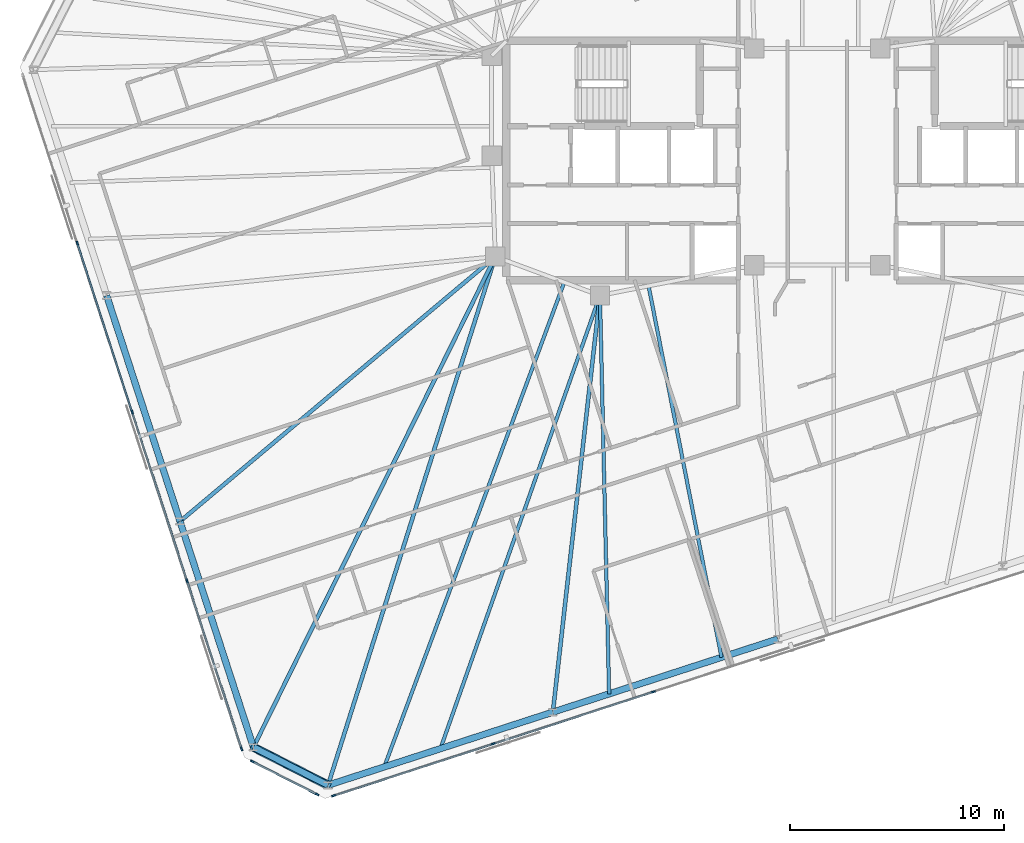
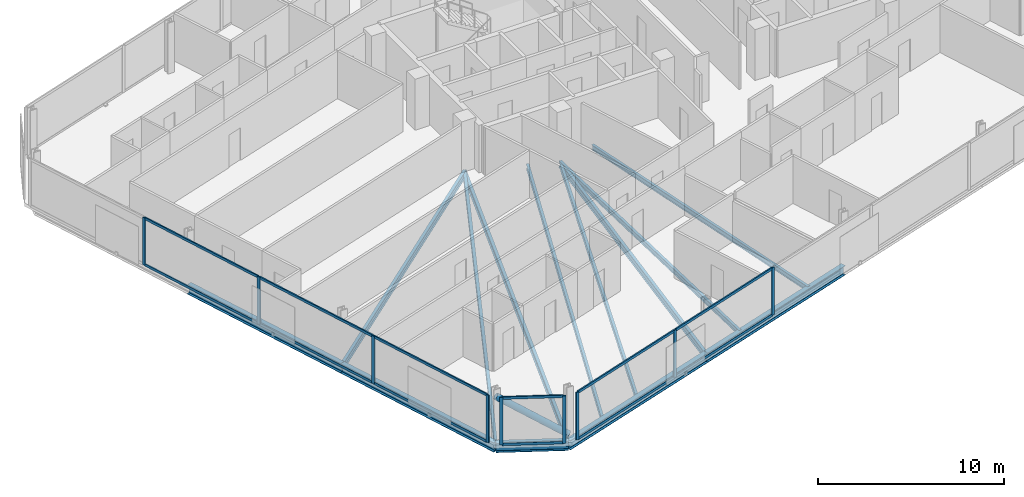
# One storey, part 5 of 20: 22 members, 13 beams, 3 elements without a shape of their own.
"""IFC4 building model written with IfcOpenShell, lengths in metres."""

from ifc_helpers import new_model, si_unit, direction, frame, origin, origin_2d, place, context, subcontext, project, spatial, rectangle, hollow_circle, i_section, extrude, material, material_profile, profile_set, type_object, element, aggregate, save


model = new_model("IFC4")

# Units and contexts
model_context = context("Model", 3, precision=1e-05, world=origin(), true_north=direction((0.0, 1.0)))
body_context = subcontext(model_context, "Body", "Model", "MODEL_VIEW")
ifc_project = project(units=[si_unit("LENGTHUNIT", "METRE"), si_unit("AREAUNIT", "SQUARE_METRE"), si_unit("VOLUMEUNIT", "CUBIC_METRE"), si_unit("PLANEANGLEUNIT", "RADIAN"), si_unit("MASSUNIT", "GRAM", prefix="KILO")], contexts=[model_context])

# Site, building, storey
site_placement = place(None, origin())
site = spatial("IfcSite", under=ifc_project, at=site_placement, CompositionType="ELEMENT")
building_placement = place(site_placement, origin())
building = spatial("IfcBuilding", under=site, at=building_placement, Name="Menara Jurai Vektor", CompositionType="ELEMENT")
storey_placement = place(building_placement, frame((0.0, 0.0, 217.60009765625)))
storey = spatial("IfcBuildingStorey", under=building, at=storey_placement, Name="L57", CompositionType="ELEMENT", Elevation=217.60009765625)

# Curtain wall, members
ifc_material_1 = material(Name="Anodised Pale Aluminium & Low-E Double Glazing", Category="aluminium")
curtain_wall_type = type_object("IfcCurtainWallType", Name="CW-BLK4", PredefinedType="NOTDEFINED", material=ifc_material_1)
curtain_wall_1_placement = place(storey_placement, origin())
curtain_wall_1 = element("IfcCurtainWall", 1, at=curtain_wall_1_placement, inside=storey, type_object=curtain_wall_type, Name="Unitised Curtain Wall L57 F01", PredefinedType="NOTDEFINED")
ifc_material_2 = material(Name="Anodised Pale Aluminium Mullion", Category="aluminium")
ifc_material_profile_1 = material_profile(ifc_material_2, rectangle(XDim=0.080078125, YDim=0.18994140625, at=origin_2d()), Name="ALU MUL 80x190")
ifc_profile_set_1 = profile_set([ifc_material_profile_1], Name="Anodised Pale Aluminium Mullion")
member_type_1 = type_object("IfcMemberType", Name="CW-BLK4-MUL", PredefinedType="MULLION", material=ifc_profile_set_1)
member_1_placement = place(storey_placement, frame((-22.649658203125, -29.743896484375, 0.0), z_axis=(0.0, 0.0, 1.0), x_axis=(-0.309017344167, 0.951056402641, 0.0)))
member_1 = element("IfcMember", 2, at=member_1_placement, type_object=member_type_1, Name="CW-04 mullion 1", PredefinedType="MULLION", context=body_context, shape_type="SweptSolid", body=[
    extrude(rectangle(XDim=0.080078125, YDim=0.18994140625, at=origin_2d()), origin(), (0.0, 0.0, 1.0), 3.125),
])
member_2_placement = place(storey_placement, frame((-15.1826171875, -27.317626953125, 0.0), z_axis=(0.0, 0.0, 1.0), x_axis=(-0.309017344167, 0.951056402641, 0.0)))
member_2 = element("IfcMember", 3, at=member_2_placement, type_object=member_type_1, Name="CW-04 mullion 2", PredefinedType="MULLION", context=body_context, shape_type="SweptSolid", body=[
    extrude(rectangle(XDim=0.080078125, YDim=0.18994140625, at=origin_2d()), origin(), (0.0, 0.0, 1.0), 3.125),
])
member_3_placement = place(storey_placement, frame((-7.677490234375, -24.879150390625, 0.0), z_axis=(0.0, 0.0, 1.0), x_axis=(-0.309017344167, 0.951056402641, 0.0)))
member_3 = element("IfcMember", 4, at=member_3_placement, type_object=member_type_1, Name="CW-04 mullion 3", PredefinedType="MULLION", context=body_context, shape_type="SweptSolid", body=[
    extrude(rectangle(XDim=0.080078125, YDim=0.18994140625, at=origin_2d()), origin(), (0.0, 0.0, 1.0), 3.125),
])

curtain_wall_2_placement = place(storey_placement, origin())
curtain_wall_2 = element("IfcCurtainWall", 5, at=curtain_wall_2_placement, inside=storey, type_object=curtain_wall_type, Name="Unitised Curtain Wall L57 F07", PredefinedType="NOTDEFINED")
member_4_placement = place(storey_placement, frame((-34.650634765625, -3.876220703125, 0.0), z_axis=(0.0, 0.0, 1.0), x_axis=(0.95105668295, 0.309016481464, 0.0)))
member_4 = element("IfcMember", 6, at=member_4_placement, type_object=member_type_1, Name="CW-04 mullion 2", PredefinedType="MULLION", context=body_context, shape_type="SweptSolid", body=[
    extrude(rectangle(XDim=0.080078125, YDim=0.18994140625, at=origin_2d()), origin(), (0.0, 0.0, 1.0), 3.125),
])
member_5_placement = place(storey_placement, frame((-32.082763671875, -11.779541015625, 0.0), z_axis=(0.0, 0.0, 1.0), x_axis=(0.95105668295, 0.309016481464, 0.0)))
member_5 = element("IfcMember", 7, at=member_5_placement, type_object=member_type_1, Name="CW-04 mullion 3", PredefinedType="MULLION", context=body_context, shape_type="SweptSolid", body=[
    extrude(rectangle(XDim=0.080078125, YDim=0.18994140625, at=origin_2d()), origin(), (0.0, 0.0, 1.0), 3.125),
])
member_6_placement = place(storey_placement, frame((-29.514892578125, -19.682861328125, 0.0), z_axis=(0.0, 0.0, 1.0), x_axis=(0.95105668295, 0.309016481464, 0.0)))
member_6 = element("IfcMember", 8, at=member_6_placement, type_object=member_type_1, Name="CW-04 mullion 4", PredefinedType="MULLION", context=body_context, shape_type="SweptSolid", body=[
    extrude(rectangle(XDim=0.080078125, YDim=0.18994140625, at=origin_2d()), origin(), (0.0, 0.0, 1.0), 3.125),
])
member_7_placement = place(storey_placement, frame((-26.959228515625, -27.548095703125, 0.0), z_axis=(0.0, 0.0, 1.0), x_axis=(0.95105668295, 0.309016481464, 0.0)))
member_7 = element("IfcMember", 9, at=member_7_placement, type_object=member_type_1, Name="CW-04 mullion 5", PredefinedType="MULLION", context=body_context, shape_type="SweptSolid", body=[
    extrude(rectangle(XDim=0.080078125, YDim=0.18994140625, at=origin_2d()), origin(), (0.0, 0.0, 1.0), 3.125),
])

curtain_wall_3_placement = place(storey_placement, origin())
curtain_wall_3 = element("IfcCurtainWall", 10, at=curtain_wall_3_placement, inside=storey, type_object=curtain_wall_type, Name="Unitised Curtain Wall L57 F08", PredefinedType="NOTDEFINED")
member_8_placement = place(storey_placement, frame((-26.455322265625, -28.13818359375, 0.0), z_axis=(0.0, 0.0, 1.0), x_axis=(0.453988579828, 0.89100750243, 0.0)))
member_8 = element("IfcMember", 11, at=member_8_placement, type_object=member_type_1, Name="CW-04 mullion 1", PredefinedType="MULLION", context=body_context, shape_type="SweptSolid", body=[
    extrude(rectangle(XDim=0.080078125, YDim=0.18994140625, at=origin_2d()), origin(), (0.0, 0.0, 1.0), 3.125),
])
member_9_placement = place(storey_placement, frame((-23.42333984375, -29.682861328125, 0.0), z_axis=(0.0, 0.0, 1.0), x_axis=(0.453988579828, 0.89100750243, 0.0)))
member_9 = element("IfcMember", 12, at=member_9_placement, type_object=member_type_1, Name="CW-04 mullion 2", PredefinedType="MULLION", context=body_context, shape_type="SweptSolid", body=[
    extrude(rectangle(XDim=0.080078125, YDim=0.18994140625, at=origin_2d()), origin(), (0.0, 0.0, 1.0), 3.125),
])

# Member
ifc_material_3 = material(Name="Anodised Pale Aluminium Transom", Category="aluminium")
ifc_material_profile_2 = material_profile(ifc_material_3, rectangle(XDim=0.080078125, YDim=0.1650390625, at=origin_2d()), Name="ALU TRN 80x165")
ifc_profile_set_2 = profile_set([ifc_material_profile_2], Name="Anodised Pale Aluminium Transom")
member_type_2 = type_object("IfcMemberType", Name="CW-BLK4-TRN", PredefinedType="USERDEFINED", material=ifc_profile_set_2)
member_10_placement = place(storey_placement, frame((-22.61181640625, -29.7314453125, 0.039794921875), z_axis=(0.951062230089, 0.308999408573, 0.0), x_axis=(-0.308999408573, 0.951062230089, 0.0)))
member_10 = element("IfcMember", 13, at=member_10_placement, type_object=member_type_2, Name="CW-04 transom 1.1", ObjectType="TRANSOM", PredefinedType="USERDEFINED", context=body_context, shape_type="SweptSolid", body=[
    extrude(rectangle(XDim=0.080078125, YDim=0.1650390625, at=origin_2d()), origin(), (0.0, 0.0, 1.0), 7.771484375),
])

member_11_placement = place(storey_placement, frame((-22.61181640625, -29.7314453125, 3.0849609375), z_axis=(0.951062230089, 0.308999408573, 0.0), x_axis=(-0.308999408573, 0.951062230089, 0.0)))
member_11 = element("IfcMember", 14, at=member_11_placement, type_object=member_type_2, Name="CW-04 transom 1.2", ObjectType="TRANSOM", PredefinedType="USERDEFINED", context=body_context, shape_type="SweptSolid", body=[
    extrude(rectangle(XDim=0.080078125, YDim=0.1650390625, at=origin_2d()), origin(), (0.0, 0.0, 1.0), 7.771484375),
])

member_12_placement = place(storey_placement, frame((-15.14453125, -27.30517578125, 0.039794921875), z_axis=(0.95105634578, 0.309017519167, 0.0), x_axis=(-0.309017519167, 0.95105634578, 0.0)))
member_12 = element("IfcMember", 15, at=member_12_placement, type_object=member_type_2, Name="CW-04 transom 2.1", ObjectType="TRANSOM", PredefinedType="USERDEFINED", context=body_context, shape_type="SweptSolid", body=[
    extrude(rectangle(XDim=0.080078125, YDim=0.1650390625, at=origin_2d()), origin(), (0.0, 0.0, 1.0), 7.811279296875),
])

member_13_placement = place(storey_placement, frame((-15.14453125, -27.30517578125, 3.0849609375), z_axis=(0.95105634578, 0.309017519167, 0.0), x_axis=(-0.309017519167, 0.95105634578, 0.0)))
member_13 = element("IfcMember", 16, at=member_13_placement, type_object=member_type_2, Name="CW-04 transom 2.2", ObjectType="TRANSOM", PredefinedType="USERDEFINED", context=body_context, shape_type="SweptSolid", body=[
    extrude(rectangle(XDim=0.080078125, YDim=0.1650390625, at=origin_2d()), origin(), (0.0, 0.0, 1.0), 7.811279296875),
])

aggregate(curtain_wall_1, [member_1, member_2, member_3, member_10, member_11, member_12, member_13])

member_14_placement = place(storey_placement, frame((-34.638427734375, -3.914306640625, 0.039794921875), z_axis=(0.309018994408, -0.951055866443, 0.0), x_axis=(0.951055866443, 0.309018994408, 0.0)))
member_14 = element("IfcMember", 17, at=member_14_placement, type_object=member_type_2, Name="CW-04 transom 2.1", ObjectType="TRANSOM", PredefinedType="USERDEFINED", context=body_context, shape_type="SweptSolid", body=[
    extrude(rectangle(XDim=0.080078125, YDim=0.1650390625, at=origin_2d()), origin(), (0.0, 0.0, 1.0), 8.22998046875),
])

member_15_placement = place(storey_placement, frame((-34.638427734375, -3.914306640625, 3.0849609375), z_axis=(0.309018994408, -0.951055866443, 0.0), x_axis=(0.951055866443, 0.309018994408, 0.0)))
member_15 = element("IfcMember", 18, at=member_15_placement, type_object=member_type_2, Name="CW-04 transom 2.2", ObjectType="TRANSOM", PredefinedType="USERDEFINED", context=body_context, shape_type="SweptSolid", body=[
    extrude(rectangle(XDim=0.080078125, YDim=0.1650390625, at=origin_2d()), origin(), (0.0, 0.0, 1.0), 8.22998046875),
])

member_16_placement = place(storey_placement, frame((-32.0703125, -11.817626953125, 0.039794921875), z_axis=(0.309018994408, -0.951055866443, 0.0), x_axis=(0.951055866443, 0.309018994408, 0.0)))
member_16 = element("IfcMember", 19, at=member_16_placement, type_object=member_type_2, Name="CW-04 transom 3.1", ObjectType="TRANSOM", PredefinedType="USERDEFINED", context=body_context, shape_type="SweptSolid", body=[
    extrude(rectangle(XDim=0.080078125, YDim=0.1650390625, at=origin_2d()), origin(), (0.0, 0.0, 1.0), 8.22998046875),
])

member_17_placement = place(storey_placement, frame((-32.0703125, -11.817626953125, 3.0849609375), z_axis=(0.309018994408, -0.951055866443, 0.0), x_axis=(0.951055866443, 0.309018994408, 0.0)))
member_17 = element("IfcMember", 20, at=member_17_placement, type_object=member_type_2, Name="CW-04 transom 3.2", ObjectType="TRANSOM", PredefinedType="USERDEFINED", context=body_context, shape_type="SweptSolid", body=[
    extrude(rectangle(XDim=0.080078125, YDim=0.1650390625, at=origin_2d()), origin(), (0.0, 0.0, 1.0), 8.22998046875),
])

member_18_placement = place(storey_placement, frame((-29.50244140625, -19.720947265625, 0.039794921875), z_axis=(0.309010577384, -0.951058601278, 0.0), x_axis=(0.951058601278, 0.309010577384, 0.0)))
member_18 = element("IfcMember", 21, at=member_18_placement, type_object=member_type_2, Name="CW-04 transom 4.1", ObjectType="TRANSOM", PredefinedType="USERDEFINED", context=body_context, shape_type="SweptSolid", body=[
    extrude(rectangle(XDim=0.080078125, YDim=0.1650390625, at=origin_2d()), origin(), (0.0, 0.0, 1.0), 8.18994140625),
])

member_19_placement = place(storey_placement, frame((-29.50244140625, -19.720947265625, 3.0849609375), z_axis=(0.309010577384, -0.951058601278, 0.0), x_axis=(0.951058601278, 0.309010577384, 0.0)))
member_19 = element("IfcMember", 22, at=member_19_placement, type_object=member_type_2, Name="CW-04 transom 4.2", ObjectType="TRANSOM", PredefinedType="USERDEFINED", context=body_context, shape_type="SweptSolid", body=[
    extrude(rectangle(XDim=0.080078125, YDim=0.1650390625, at=origin_2d()), origin(), (0.0, 0.0, 1.0), 8.18994140625),
])

aggregate(curtain_wall_2, [member_4, member_5, member_6, member_7, member_14, member_15, member_16, member_17, member_18, member_19])

member_20_placement = place(storey_placement, frame((-26.419677734375, -28.15625, 0.039794921875), z_axis=(0.89100697374, -0.453989617444, 0.0), x_axis=(0.453989617444, 0.89100697374, 0.0)))
member_20 = element("IfcMember", 23, at=member_20_placement, type_object=member_type_2, Name="CW-04 transom 1.1", ObjectType="TRANSOM", PredefinedType="USERDEFINED", context=body_context, shape_type="SweptSolid", body=[
    extrude(rectangle(XDim=0.080078125, YDim=0.1650390625, at=origin_2d()), origin(), (0.0, 0.0, 1.0), 3.32275390625),
])

member_21_placement = place(storey_placement, frame((-26.419677734375, -28.15625, 3.0849609375), z_axis=(0.89100697374, -0.453989617444, 0.0), x_axis=(0.453989617444, 0.89100697374, 0.0)))
member_21 = element("IfcMember", 24, at=member_21_placement, type_object=member_type_2, Name="CW-04 transom 1.2", ObjectType="TRANSOM", PredefinedType="USERDEFINED", context=body_context, shape_type="SweptSolid", body=[
    extrude(rectangle(XDim=0.080078125, YDim=0.1650390625, at=origin_2d()), origin(), (0.0, 0.0, 1.0), 3.32275390625),
])

aggregate(curtain_wall_3, [member_8, member_9, member_20, member_21])

# Beams
ifc_material_4 = material(Name="Steel S355", Category="steel")
ifc_material_profile_3 = material_profile(ifc_material_4, i_section(OverallWidth=0.18505859375, OverallDepth=0.429931640625, WebThickness=0.010986328125, FlangeThickness=0.01806640625, at=origin_2d()), Name="PG 430x185x76")
ifc_profile_set_3 = profile_set([ifc_material_profile_3], Name="Steel S355")
beam_type_1 = type_object("IfcBeamType", Name="STR-BM-430", PredefinedType="BEAM", material=ifc_profile_set_3)
beam_1_placement = place(storey_placement, frame((-22.912841796875, -29.2509765625, -0.440185546875), z_axis=(0.301715059084, 0.953398145122, 0.0), x_axis=(-0.953398145122, 0.301715059084, 0.0)))
element("IfcBeam", 25, at=beam_1_placement, inside=storey, type_object=beam_type_1, Name="Radial Floor Girder L57-S1", PredefinedType="BEAM", context=body_context, shape_type="SweptSolid", body=[
    extrude(i_section(OverallWidth=0.18505859375, OverallDepth=0.429931640625, WebThickness=0.010986328125, FlangeThickness=0.01806640625, at=origin_2d()), origin(), (0.0, 0.0, 1.0), 25.960693359375),
])
beam_2_placement = place(storey_placement, frame((-12.383544921875, -25.829833984375, -0.440185546875), z_axis=(0.112235588534, 0.993681625404, 0.0), x_axis=(-0.993681625404, 0.112235588534, 0.0)))
element("IfcBeam", 26, at=beam_2_placement, inside=storey, type_object=beam_type_1, Name="Radial Floor Girder L57-S2", PredefinedType="BEAM", context=body_context, shape_type="SweptSolid", body=[
    extrude(i_section(OverallWidth=0.18505859375, OverallDepth=0.429931640625, WebThickness=0.010986328125, FlangeThickness=0.01806640625, at=origin_2d()), origin(), (0.0, 0.0, 1.0), 19.6337890625),
])
beam_3_placement = place(storey_placement, frame((-29.841796875, -16.896728515625, -0.440185546875), z_axis=(0.765784449649, 0.64309733064, 0.0), x_axis=(-0.64309733064, 0.765784449649, 0.0)))
element("IfcBeam", 27, at=beam_3_placement, inside=storey, type_object=beam_type_1, Name="Radial Floor Girder L57-W3", PredefinedType="BEAM", context=body_context, shape_type="SweptSolid", body=[
    extrude(i_section(OverallWidth=0.18505859375, OverallDepth=0.429931640625, WebThickness=0.010986328125, FlangeThickness=0.01806640625, at=origin_2d()), origin(), (0.0, 0.0, 1.0), 19.276611328125),
])
beam_4_placement = place(storey_placement, frame((-26.406005859375, -27.47119140625, -0.440185546875), z_axis=(0.442219272094, 0.896906971424, 0.0), x_axis=(-0.896906971424, 0.442219272094, 0.0)))
element("IfcBeam", 28, at=beam_4_placement, inside=storey, type_object=beam_type_1, Name="Radial Floor Girder L57-W4", PredefinedType="BEAM", context=body_context, shape_type="SweptSolid", body=[
    extrude(i_section(OverallWidth=0.18505859375, OverallDepth=0.429931640625, WebThickness=0.010986328125, FlangeThickness=0.01806640625, at=origin_2d()), origin(), (0.0, 0.0, 1.0), 25.611572265625),
])

# Member
ifc_material_5 = material(Name="Steel S460", Category="steel")
ifc_material_profile_4 = material_profile(ifc_material_5, hollow_circle(Radius=0.203125, WallThickness=0.01611328125, at=origin_2d()), Name="CHS 406.4x16")
ifc_profile_set_4 = profile_set([ifc_material_profile_4], Name="Steel S460")
member_type_3 = type_object("IfcMemberType", Name="STR-BR-406", PredefinedType="BRACE", material=ifc_profile_set_4)
member_22_placement = place(storey_placement, frame((-22.912841796875, -29.2509765625, 0.14990234375), z_axis=(-0.740375367811, 0.377225079071, 0.556368182465), x_axis=(-0.453976155955, -0.891013832566, 0.0)))
element("IfcMember", 29, at=member_22_placement, inside=storey, type_object=member_type_3, Name="Exoskeleton Corner Brace L57-4", PredefinedType="BRACE", context=body_context, shape_type="SweptSolid", body=[
    extrude(hollow_circle(Radius=0.203125, WallThickness=0.01611328125, at=origin_2d()), origin(), (0.0, 0.0, 1.0), 4.718017578125),
])

# Beams
ifc_material_profile_5 = material_profile(ifc_material_4, i_section(OverallWidth=0.1650390625, OverallDepth=0.330078125, WebThickness=0.009033203125, FlangeThickness=0.013916015625, at=origin_2d()), Name="PG 330x165x46")
ifc_profile_set_5 = profile_set([ifc_material_profile_5], Name="Steel S355")
beam_type_2 = type_object("IfcBeamType", Name="STR-JS-330", PredefinedType="JOIST", material=ifc_profile_set_5)
beam_5_placement = place(storey_placement, frame((-20.280517578125, -28.395751953125, -0.39013671875), z_axis=(0.348182225555, 0.937426870645, 0.0), x_axis=(-0.937426870645, 0.348182225555, 0.0)))
element("IfcBeam", 30, at=beam_5_placement, inside=storey, type_object=beam_type_2, Name="Radial Secondary Floor Joist L57-JS01", PredefinedType="JOIST", context=body_context, shape_type="SweptSolid", body=[
    extrude(i_section(OverallWidth=0.1650390625, OverallDepth=0.330078125, WebThickness=0.009033203125, FlangeThickness=0.013916015625, at=origin_2d()), origin(), (0.0, 0.0, 1.0), 24.211181640625),
])
beam_6_placement = place(storey_placement, frame((-17.648193359375, -27.540283203125, -0.39013671875), z_axis=(0.331980963321, 0.943286085974, 0.0), x_axis=(-0.943286085974, 0.331980963321, 0.0)))
element("IfcBeam", 31, at=beam_6_placement, inside=storey, type_object=beam_type_2, Name="Radial Secondary Floor Joist L57-JS02", PredefinedType="JOIST", context=body_context, shape_type="SweptSolid", body=[
    extrude(i_section(OverallWidth=0.1650390625, OverallDepth=0.330078125, WebThickness=0.009033203125, FlangeThickness=0.013916015625, at=origin_2d()), origin(), (0.0, 0.0, 1.0), 22.49609375),
])
beam_7_placement = place(storey_placement, frame((-9.751220703125, -24.974609375, -0.39013671875), z_axis=(-0.022975519442, 0.999736027913, 0.0), x_axis=(-0.999736027913, -0.022975519442, 0.0)))
element("IfcBeam", 32, at=beam_7_placement, inside=storey, type_object=beam_type_2, Name="Radial Secondary Floor Joist L57-JS03", PredefinedType="JOIST", context=body_context, shape_type="SweptSolid", body=[
    extrude(i_section(OverallWidth=0.1650390625, OverallDepth=0.330078125, WebThickness=0.009033203125, FlangeThickness=0.013916015625, at=origin_2d()), origin(), (0.0, 0.0, 1.0), 18.659423828125),
])
beam_8_placement = place(storey_placement, frame((-4.486572265625, -23.263916015625, -0.39013671875), z_axis=(-0.192724225092, 0.981252960792, 0.0), x_axis=(-0.981252960792, -0.192724225092, 0.0)))
element("IfcBeam", 33, at=beam_8_placement, inside=storey, type_object=beam_type_2, Name="Radial Secondary Floor Joist L57-JS04", PredefinedType="JOIST", context=body_context, shape_type="SweptSolid", body=[
    extrude(i_section(OverallWidth=0.1650390625, OverallDepth=0.330078125, WebThickness=0.009033203125, FlangeThickness=0.013916015625, at=origin_2d()), origin(), (0.0, 0.0, 1.0), 17.7236328125),
])
ifc_material_profile_6 = material_profile(ifc_material_4, i_section(OverallWidth=0.306884765625, OverallDepth=0.6201171875, WebThickness=0.013916015625, FlangeThickness=0.02392578125, FilletRadius=0.01708984375, at=origin_2d()), Name="UKB 610x305x179")
ifc_profile_set_6 = profile_set([ifc_material_profile_6], Name="Steel S355")
beam_type_3 = type_object("IfcBeamType", Name="STR-SP-610", PredefinedType="SPANDREL", material=ifc_profile_set_6)
for number, where, z_axis, x_axis, name in (
    (34, (-22.912841796875, -29.2509765625, -0.53515625), (0.951057401967, 0.309014268544, 0.0), (-0.309014268544, 0.951057401967, 0.0), "Exoskeleton Spandrel Beam L57-01"),
    (35, (-12.383544921875, -25.829833984375, -0.53515625), (0.951057401967, 0.309014268544, 0.0), (-0.309014268544, 0.951057401967, 0.0), "Exoskeleton Spandrel Beam L57-02"),
):
    element("IfcBeam", number, at=place(storey_placement, frame(where, z_axis=z_axis, x_axis=x_axis)), inside=storey, type_object=beam_type_3, Name=name, PredefinedType="SPANDREL", context=body_context, shape_type="SweptSolid", body=[
        extrude(i_section(OverallWidth=0.306884765625, OverallDepth=0.6201171875, WebThickness=0.013916015625, FlangeThickness=0.02392578125, FilletRadius=0.01708984375, at=origin_2d()), origin(), (0.0, 0.0, 1.0), 11.071044921875),
    ])
beam_9_placement = place(storey_placement, frame((-33.277587890625, -6.322509765625, -0.53515625), z_axis=(0.309018545885, -0.951056012178, 0.0), x_axis=(0.951056012178, 0.309018545885, 0.0)))
element("IfcBeam", 36, at=beam_9_placement, inside=storey, type_object=beam_type_3, Name="Exoskeleton Spandrel Beam L57-18", PredefinedType="SPANDREL", context=body_context, shape_type="SweptSolid", body=[
    extrude(i_section(OverallWidth=0.306884765625, OverallDepth=0.6201171875, WebThickness=0.013916015625, FlangeThickness=0.02392578125, FilletRadius=0.01708984375, at=origin_2d()), origin(), (0.0, 0.0, 1.0), 11.118408203125),
])
beam_10_placement = place(storey_placement, frame((-29.841796875, -16.896728515625, -0.53515625), z_axis=(0.309012092614, -0.95105810896, 0.0), x_axis=(0.95105810896, 0.309012092614, 0.0)))
element("IfcBeam", 37, at=beam_10_placement, inside=storey, type_object=beam_type_3, Name="Exoskeleton Spandrel Beam L57-19", PredefinedType="SPANDREL", context=body_context, shape_type="SweptSolid", body=[
    extrude(i_section(OverallWidth=0.306884765625, OverallDepth=0.6201171875, WebThickness=0.013916015625, FlangeThickness=0.02392578125, FilletRadius=0.01708984375, at=origin_2d()), origin(), (0.0, 0.0, 1.0), 11.11865234375),
])
beam_11_placement = place(storey_placement, frame((-26.406005859375, -27.47119140625, -0.53515625), z_axis=(0.891013832566, -0.453976155955, 0.0), x_axis=(0.453976155955, 0.891013832566, 0.0)))
element("IfcBeam", 38, at=beam_11_placement, inside=storey, type_object=beam_type_3, Name="Exoskeleton Spandrel Beam L57-20", PredefinedType="SPANDREL", context=body_context, shape_type="SweptSolid", body=[
    extrude(i_section(OverallWidth=0.306884765625, OverallDepth=0.6201171875, WebThickness=0.013916015625, FlangeThickness=0.02392578125, FilletRadius=0.01708984375, at=origin_2d()), origin(), (0.0, 0.0, 1.0), 3.92041015625),
])

save(model, "model.ifc")
